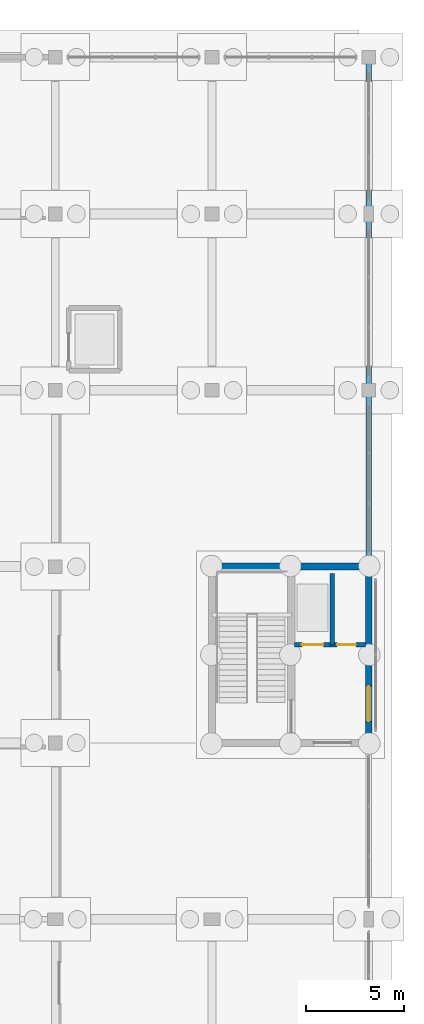
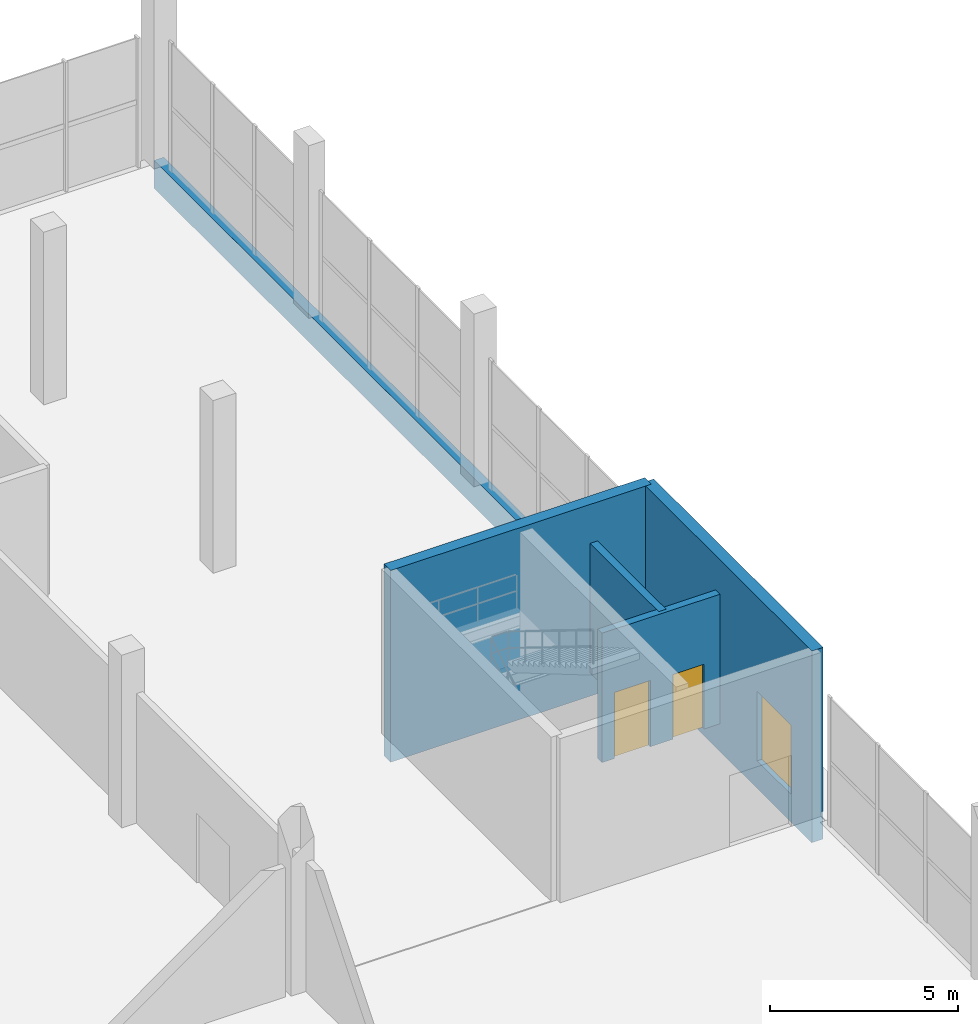
# One storey, part 82 of 98: 5 walls, 3 doors, 3 openings.
"""IFC4 building model written with IfcOpenShell, lengths in metres."""

from ifc_helpers import new_model, si_unit, derived_unit, direction, frame, frame_2d, origin, place, context, subcontext, project, spatial, rectangle, extrude, material, layer, layer_set, type_object, element, fill, save


model = new_model("IFC4")

# Units and contexts
model_context = context("Model", 3, precision=1e-05, world=origin(), true_north=direction((0.0, 1.0)))
body_context = subcontext(model_context, "Body", "Model", "MODEL_VIEW")
ifc_project = project(units=[si_unit("LENGTHUNIT", "METRE"), si_unit("AREAUNIT", "SQUARE_METRE"), si_unit("VOLUMEUNIT", "CUBIC_METRE"), si_unit("PLANEANGLEUNIT", "RADIAN"), si_unit("MASSUNIT", "GRAM", prefix="KILO"), si_unit("THERMODYNAMICTEMPERATUREUNIT", "KELVIN"), derived_unit("THERMALTRANSMITTANCEUNIT", [(si_unit("POWERUNIT", "WATT"), 1), (si_unit("AREAUNIT", "SQUARE_METRE"), -1), (si_unit("THERMODYNAMICTEMPERATUREUNIT", "KELVIN"), -1)])], contexts=[model_context])

# Site, building, storey
site_placement = place(None, origin())
site = spatial("IfcSite", under=ifc_project, at=site_placement, CompositionType="ELEMENT")
building_placement = place(site_placement, origin())
building = spatial("IfcBuilding", under=site, at=building_placement, Name="Haiyu Intermodal Mobility Hub", CompositionType="ELEMENT")
storey_placement = place(building_placement, origin())
storey = spatial("IfcBuildingStorey", under=building, at=storey_placement, Name="L00", CompositionType="ELEMENT", Elevation=0.0)

# Walls
ifc_material_1 = material(Name="Precast concrete C40", Category="concrete")
ifc_layer_1 = layer(ifc_material_1, 0.300048828125)
ifc_layer_set_1 = layer_set([ifc_layer_1], Name="Precast concrete C40")
wall_type_1 = type_object("IfcWallType", Name="WAL-WE01", PredefinedType="STANDARD", material=ifc_layer_set_1)
wall_1_placement = place(storey_placement, frame((210.0, 122.39990234375, -0.89990234375), z_axis=(0.0, 0.0, 1.0), x_axis=(0.0, 1.0, 0.0)))
element("IfcWall", 1, at=wall_1_placement, inside=storey, type_object=wall_type_1, Name="Flood Plinth Retaining Wall PLN-E1C", PredefinedType="STANDARD", context=body_context, shape_type="SweptSolid", body=[
    extrude(rectangle(XDim=25.60009765625, YDim=0.300048828125, at=frame_2d((12.800048828125, 0.0))), origin(), (0.0, 0.0, 1.0), 0.89990234375),
])
ifc_material_2 = material(Name="Autoclaved aerated concrete block A5.0", Category="concrete")
ifc_layer_2 = layer(ifc_material_2, 0.22998046875)
ifc_layer_set_2 = layer_set([ifc_layer_2], Name="Autoclaved aerated concrete block A5.0")
wall_type_2 = type_object("IfcWallType", Name="WAL-WI01", PredefinedType="PARTITIONING", material=ifc_layer_set_2)
wall_2_placement = place(storey_placement, frame((208.1298828125, 118.0, 0.0), z_axis=(0.0, 0.0, 1.0), x_axis=(0.0, 1.0, 0.0)))
element("IfcWall", 2, at=wall_2_placement, inside=storey, type_object=wall_type_2, Name="WAL-CORE-C10-LSH-L00", PredefinedType="PARTITIONING", context=body_context, shape_type="SweptSolid", body=[
    extrude(rectangle(XDim=3.64990234375, YDim=0.22998046875, at=frame_2d((1.824951171875, 0.0))), origin(), (0.0, 0.0, 1.0), 4.199951171875),
])

# Wall, openings, doors
wall_3_placement = place(storey_placement, frame((206.2099609375, 118.0, 0.0), z_axis=(0.0, 0.0, 1.0), x_axis=(1.0, 0.0, 0.0)))
wall_3 = element("IfcWall", 3, at=wall_3_placement, inside=storey, type_object=wall_type_2, Name="WAL-CORE-C10-LFT-L00", PredefinedType="PARTITIONING", context=body_context, shape_type="SweptSolid", body=[
    extrude(rectangle(XDim=3.630126953125, YDim=0.22998046875, at=frame_2d((1.81494140625, 0.0))), origin(), (0.0, 0.0, 1.0), 4.199951171875),
])
opening_1_placement = place(wall_3_placement, frame((0.3798828125, 0.0, 0.0)))
opening_1 = element("IfcOpeningElement", 4, at=opening_1_placement, cuts=wall_3, Name="Opening LD01", PredefinedType="OPENING", context=body_context, shape_type="SweptSolid", body=[
    extrude(rectangle(XDim=1.10009765625, YDim=2.14990234375, at=frame_2d((0.550048828125, 1.074951171875))), frame((0.0, 0.125, 0.0), z_axis=(0.0, -1.0, 0.0), x_axis=(1.0, 0.0, 0.0)), (0.0, 0.0, 1.0), 0.25),
])
opening_2_placement = place(wall_3_placement, frame((2.179931640625, 0.0, 0.0)))
opening_2 = element("IfcOpeningElement", 5, at=opening_2_placement, cuts=wall_3, Name="Opening DI07", PredefinedType="OPENING", context=body_context, shape_type="SweptSolid", body=[
    extrude(rectangle(XDim=0.949951171875, YDim=2.10009765625, at=frame_2d((0.47509765625, 1.050048828125))), frame((0.0, 0.125, 0.0), z_axis=(0.0, -1.0, 0.0), x_axis=(1.0, 0.0, 0.0)), (0.0, 0.0, 1.0), 0.25),
])
ifc_material_3 = material(Name="Steel Q355C", Category="steel")
door_type_1 = type_object("IfcDoorType", Name="DR-DI07", OperationType="NOTDEFINED", PredefinedType="DOOR", material=ifc_material_3)
door_1_placement = place(opening_2_placement, origin())
door_1 = element("IfcDoor", 6, at=door_1_placement, inside=storey, type_object=door_type_1, Name="Core C10 Accessible WC Door L00", OperationType="SINGLE_SWING_RIGHT", OverallHeight=2.10009765625, OverallWidth=0.949951171875, PredefinedType="DOOR", context=body_context, shape_type="SweptSolid", body=[
    extrude(rectangle(XDim=0.949951171875, YDim=2.10009765625, at=frame_2d((0.47509765625, 1.050048828125))), frame((0.0, 0.02490234375, 0.0), z_axis=(0.0, -1.0, 0.0), x_axis=(1.0, 0.0, 0.0)), (0.0, 0.0, 1.0), 0.050048828125),
])
fill(opening_2, door_1)
door_type_2 = type_object("IfcDoorType", Name="DR-LD01", OperationType="DOUBLE_DOOR_SLIDING", PredefinedType="DOOR", material=ifc_material_3)
door_2_placement = place(opening_1_placement, origin())
door_2 = element("IfcDoor", 7, at=door_2_placement, inside=storey, type_object=door_type_2, Name="Lift FL-04 Sliding Landing Door L00", OperationType="SLIDING_TO_LEFT", OverallHeight=2.14990234375, OverallWidth=1.10009765625, PredefinedType="DOOR", context=body_context, shape_type="SweptSolid", body=[
    extrude(rectangle(XDim=1.10009765625, YDim=2.14990234375, at=frame_2d((0.550048828125, 1.074951171875))), frame((0.0, 0.02490234375, 0.0), z_axis=(0.0, -1.0, 0.0), x_axis=(1.0, 0.0, 0.0)), (0.0, 0.0, 1.0), 0.050048828125),
])
fill(opening_1, door_2)

# Wall, opening, door
ifc_material_4 = material(Name="Concrete C40", Category="concrete")
ifc_layer_3 = layer(ifc_material_4, 0.35009765625)
ifc_layer_set_3 = layer_set([ifc_layer_3], Name="Concrete C40")
wall_type_3 = type_object("IfcWallType", Name="WAL-WS02", PredefinedType="SHEAR", material=ifc_layer_set_3)
wall_4_placement = place(storey_placement, frame((210.0, 113.0, -0.89990234375), z_axis=(0.0, 0.0, 1.0), x_axis=(0.0, 1.0, 0.0)))
wall_4 = element("IfcWall", 8, at=wall_4_placement, inside=storey, type_object=wall_type_3, Name="WAL-CORE-C10-E-L00", PredefinedType="SHEAR", context=body_context, shape_type="SweptSolid", body=[
    extrude(rectangle(XDim=9.0, YDim=0.35009765625, at=frame_2d((4.5, 0.0))), origin(), (0.0, 0.0, 1.0), 6.219970703125),
])
opening_3_placement = place(wall_4_placement, frame((1.10009765625, 0.0, 0.89990234375)))
opening_3 = element("IfcOpeningElement", 9, at=opening_3_placement, cuts=wall_4, Name="Opening DE04", PredefinedType="OPENING", context=body_context, shape_type="SweptSolid", body=[
    extrude(rectangle(XDim=1.800048828125, YDim=2.25, at=frame_2d((0.89990234375, 1.125))), frame((0.0, 0.18505859375, 0.0), z_axis=(0.0, -1.0, 0.0), x_axis=(1.0, 0.0, 0.0)), (0.0, 0.0, 1.0), 0.3701171875),
])
door_type_3 = type_object("IfcDoorType", Name="DR-DE04", OperationType="DOUBLE_DOOR_SINGLE_SWING", PredefinedType="DOOR", material=ifc_material_3)
door_3_placement = place(opening_3_placement, origin())
door_3 = element("IfcDoor", 10, at=door_3_placement, inside=storey, type_object=door_type_3, Name="Core C10 Final Exterior Exit Door L00", OperationType="DOUBLE_SWING_LEFT", OverallHeight=2.25, OverallWidth=1.800048828125, PredefinedType="DOOR", context=body_context, shape_type="SweptSolid", body=[
    extrude(rectangle(XDim=1.800048828125, YDim=2.25, at=frame_2d((0.89990234375, 1.125))), frame((0.0, 0.02490234375, 0.0), z_axis=(0.0, -1.0, 0.0), x_axis=(1.0, 0.0, 0.0)), (0.0, 0.0, 1.0), 0.050048828125),
])
fill(opening_3, door_3)

# Wall
wall_5_placement = place(storey_placement, frame((210.0, 122.0, -0.89990234375), z_axis=(0.0, 0.0, 1.0), x_axis=(-1.0, 0.0, 0.0)))
element("IfcWall", 11, at=wall_5_placement, inside=storey, type_object=wall_type_3, Name="WAL-CORE-C10-N-L00", PredefinedType="SHEAR", context=body_context, shape_type="SweptSolid", body=[
    extrude(rectangle(XDim=8.0, YDim=0.35009765625, at=frame_2d((4.0, 0.0))), origin(), (0.0, 0.0, 1.0), 6.219970703125),
])

save(model, "model.ifc")
